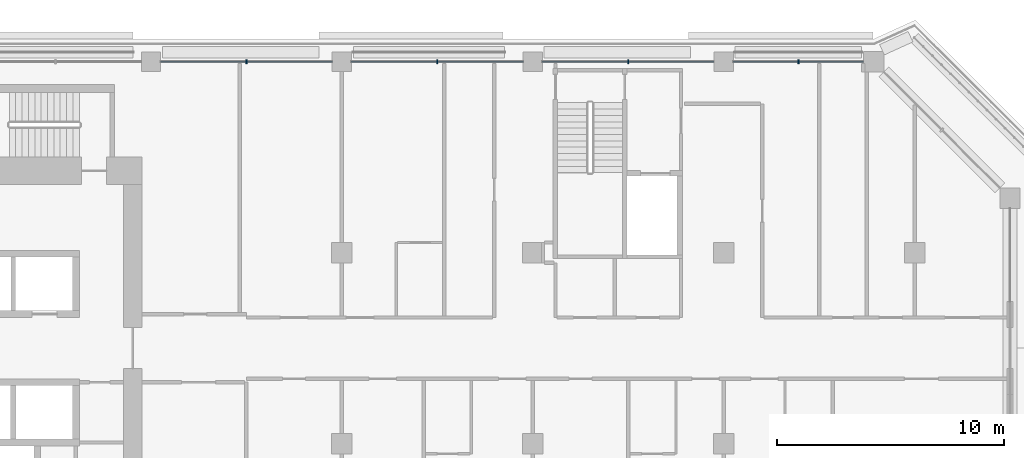
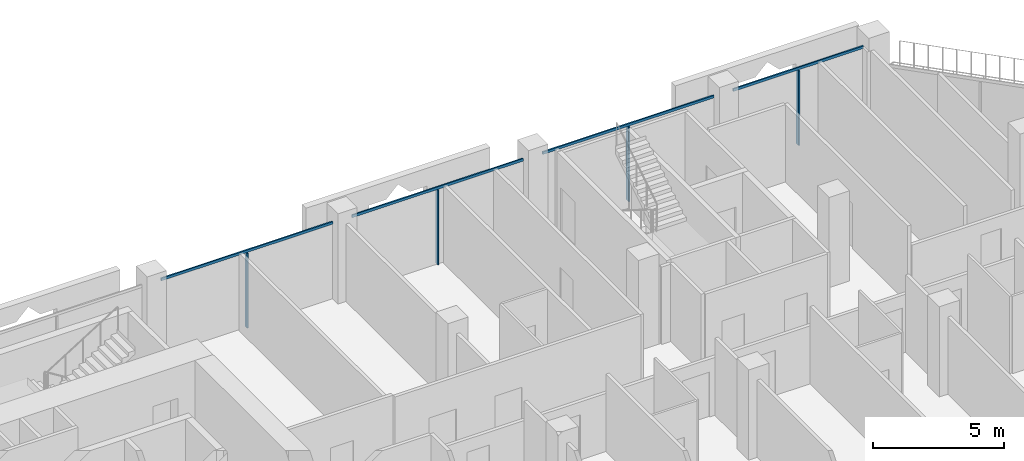
# One storey, part 6 of 21: 8 members, 1 element without a shape of its own.
"""IFC4 building model written with IfcOpenShell, lengths in metres."""

from ifc_helpers import new_model, si_unit, direction, frame, origin, origin_2d, place, context, subcontext, project, spatial, rectangle, extrude, material, layer, layer_set, material_profile, profile_set, type_object, element, aggregate, save


model = new_model("IFC4")

# Units and contexts
model_context = context("Model", 3, precision=1e-05, world=origin(), true_north=direction((0.0, 1.0)))
body_context = subcontext(model_context, "Body", "Model", "MODEL_VIEW")
ifc_project = project(units=[si_unit("LENGTHUNIT", "METRE"), si_unit("AREAUNIT", "SQUARE_METRE"), si_unit("VOLUMEUNIT", "CUBIC_METRE"), si_unit("PLANEANGLEUNIT", "RADIAN"), si_unit("MASSUNIT", "GRAM", prefix="KILO")], contexts=[model_context])

# Site, building, storey
site_placement = place(None, origin())
site = spatial("IfcSite", under=ifc_project, at=site_placement, CompositionType="ELEMENT")
building_placement = place(site_placement, origin())
building = spatial("IfcBuilding", under=site, at=building_placement, Name="Kawkab Arch Medical Tower", CompositionType="ELEMENT")
storey_placement = place(building_placement, frame((0.0, 0.0, 243.199951171875)))
storey = spatial("IfcBuildingStorey", under=building, at=storey_placement, Name="L56", CompositionType="ELEMENT", Elevation=243.199951171875)

# Curtain wall, members
ifc_material_1 = material(Name="Bronze anodised aluminium curtain wall frame", Category="aluminium")
ifc_layer = layer(ifc_material_1, 0.159912109375)
ifc_layer_set = layer_set([ifc_layer], Name="Bronze anodised aluminium curtain wall frame")
curtain_wall_type = type_object("IfcCurtainWallType", Name="CW1 ward curtain wall", PredefinedType="NOTDEFINED", material=ifc_layer_set)
curtain_wall_placement = place(storey_placement, origin())
curtain_wall = element("IfcCurtainWall", 1, at=curtain_wall_placement, inside=storey, type_object=curtain_wall_type, Name="CW1 Ward curtain wall R11", PredefinedType="NOTDEFINED")
ifc_material_2 = material(Name="Bronze anodised aluminium curtain wall frame", Category="aluminium")
ifc_material_profile_1 = material_profile(ifc_material_2, rectangle(XDim=0.179931640625, YDim=0.06005859375, at=origin_2d()), Name="AL 60x180")
ifc_profile_set_1 = profile_set([ifc_material_profile_1], Name="Bronze anodised aluminium curtain wall frame")
member_type_1 = type_object("IfcMemberType", Name="CW1 mullion 60 x 180", PredefinedType="MULLION", material=ifc_profile_set_1)
member_1_placement = place(storey_placement, frame((53.6875, 0.0, 0.0), z_axis=(0.0, 0.0, 1.0), x_axis=(0.0, -1.0, 0.0)))
member_1 = element("IfcMember", 2, at=member_1_placement, type_object=member_type_1, Name="CW1 mullion 1.1", PredefinedType="MULLION", context=body_context, shape_type="SweptSolid", body=[
    extrude(rectangle(XDim=0.179931640625, YDim=0.06005859375, at=origin_2d()), origin(), (0.0, 0.0, 1.0), 3.47998046875),
])
member_2_placement = place(storey_placement, frame((46.199951171875, 0.0, 0.0), z_axis=(0.0, 0.0, 1.0), x_axis=(0.0, -1.0, 0.0)))
member_2 = element("IfcMember", 3, at=member_2_placement, type_object=member_type_1, Name="CW1 mullion 2.1", PredefinedType="MULLION", context=body_context, shape_type="SweptSolid", body=[
    extrude(rectangle(XDim=0.179931640625, YDim=0.06005859375, at=origin_2d()), origin(), (0.0, 0.0, 1.0), 3.47998046875),
])
member_3_placement = place(storey_placement, frame((37.800048828125, 0.0, 0.0), z_axis=(0.0, 0.0, 1.0), x_axis=(0.0, -1.0, 0.0)))
member_3 = element("IfcMember", 4, at=member_3_placement, type_object=member_type_1, Name="CW1 mullion 3.1", PredefinedType="MULLION", context=body_context, shape_type="SweptSolid", body=[
    extrude(rectangle(XDim=0.179931640625, YDim=0.06005859375, at=origin_2d()), origin(), (0.0, 0.0, 1.0), 3.47998046875),
])
member_4_placement = place(storey_placement, frame((29.39990234375, 0.0, 0.0), z_axis=(0.0, 0.0, 1.0), x_axis=(0.0, -1.0, 0.0)))
member_4 = element("IfcMember", 5, at=member_4_placement, type_object=member_type_1, Name="CW1 mullion 4.1", PredefinedType="MULLION", context=body_context, shape_type="SweptSolid", body=[
    extrude(rectangle(XDim=0.179931640625, YDim=0.06005859375, at=origin_2d()), origin(), (0.0, 0.0, 1.0), 3.47998046875),
])
ifc_material_3 = material(Name="Bronze anodised aluminium curtain wall frame", Category="aluminium")
ifc_material_profile_2 = material_profile(ifc_material_3, rectangle(XDim=0.06005859375, YDim=0.1201171875, at=origin_2d()), Name="AL 60x120")
ifc_profile_set_2 = profile_set([ifc_material_profile_2], Name="Bronze anodised aluminium curtain wall frame")
member_type_2 = type_object("IfcMemberType", Name="CW1 transom 120 x 60", PredefinedType="USERDEFINED", material=ifc_profile_set_2)
member_5_placement = place(storey_placement, frame((56.550048828125, 0.0, 3.5400390625), z_axis=(-1.0, 0.0, 0.0), x_axis=(0.0, -1.0, 0.0)))
member_5 = element("IfcMember", 6, at=member_5_placement, type_object=member_type_2, Name="CW1 transom 1", ObjectType="TRANSOM", PredefinedType="USERDEFINED", context=body_context, shape_type="SweptSolid", body=[
    extrude(rectangle(XDim=0.06005859375, YDim=0.1201171875, at=origin_2d()), origin(), (0.0, 0.0, 1.0), 5.72509765625),
])
member_6_placement = place(storey_placement, frame((49.97509765625, 0.0, 3.5400390625), z_axis=(-1.0, 0.0, 0.0), x_axis=(0.0, -1.0, 0.0)))
member_6 = element("IfcMember", 7, at=member_6_placement, type_object=member_type_2, Name="CW1 transom 2", ObjectType="TRANSOM", PredefinedType="USERDEFINED", context=body_context, shape_type="SweptSolid", body=[
    extrude(rectangle(XDim=0.06005859375, YDim=0.1201171875, at=origin_2d()), origin(), (0.0, 0.0, 1.0), 7.550048828125),
])
member_7_placement = place(storey_placement, frame((41.574951171875, 0.0, 3.5400390625), z_axis=(-1.0, 0.0, 0.0), x_axis=(0.0, -1.0, 0.0)))
member_7 = element("IfcMember", 8, at=member_7_placement, type_object=member_type_2, Name="CW1 transom 3", ObjectType="TRANSOM", PredefinedType="USERDEFINED", context=body_context, shape_type="SweptSolid", body=[
    extrude(rectangle(XDim=0.06005859375, YDim=0.1201171875, at=origin_2d()), origin(), (0.0, 0.0, 1.0), 7.550048828125),
])
member_8_placement = place(storey_placement, frame((33.175048828125, 0.0, 3.5400390625), z_axis=(-1.0, 0.0, 0.0), x_axis=(0.0, -1.0, 0.0)))
member_8 = element("IfcMember", 9, at=member_8_placement, type_object=member_type_2, Name="CW1 transom 4", ObjectType="TRANSOM", PredefinedType="USERDEFINED", context=body_context, shape_type="SweptSolid", body=[
    extrude(rectangle(XDim=0.06005859375, YDim=0.1201171875, at=origin_2d()), origin(), (0.0, 0.0, 1.0), 7.550048828125),
])
aggregate(curtain_wall, [member_5, member_1, member_6, member_2, member_7, member_3, member_8, member_4])

save(model, "model.ifc")
